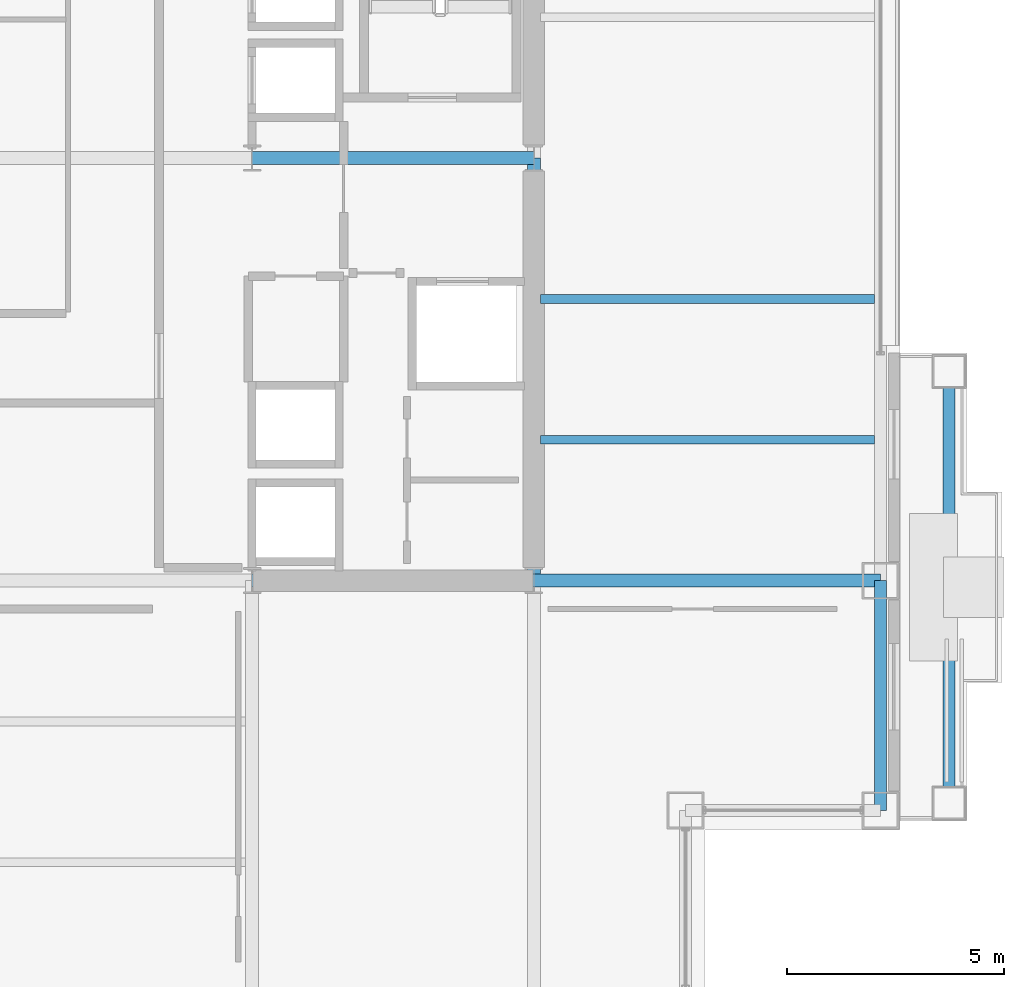
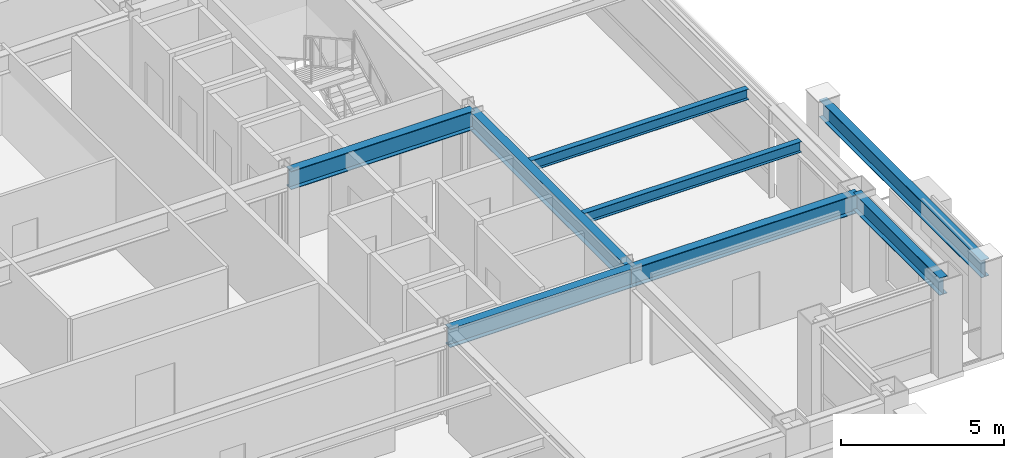
# One storey, part 13 of 29: 8 beams.
"""IFC4 building model written with IfcOpenShell, lengths in metres."""

from ifc_helpers import new_model, si_unit, direction, frame, origin, origin_2d, place, context, subcontext, project, spatial, i_section, extrude, material, material_profile, profile_set, type_object, element, save


model = new_model("IFC4")

# Units and contexts
model_context = context("Model", 3, precision=1e-05, world=origin(), true_north=direction((0.0, 1.0)))
body_context = subcontext(model_context, "Body", "Model", "MODEL_VIEW")
ifc_project = project(units=[si_unit("LENGTHUNIT", "METRE"), si_unit("AREAUNIT", "SQUARE_METRE"), si_unit("VOLUMEUNIT", "CUBIC_METRE"), si_unit("PLANEANGLEUNIT", "RADIAN"), si_unit("MASSUNIT", "GRAM", prefix="KILO")], contexts=[model_context])

# Site, building, storey
site_placement = place(None, origin())
site = spatial("IfcSite", under=ifc_project, at=site_placement, CompositionType="ELEMENT")
building_placement = place(site_placement, origin())
building = spatial("IfcBuilding", under=site, at=building_placement, Name="Brelmoor Portico Tower", CompositionType="ELEMENT")
storey_placement = place(building_placement, frame((0.0, 0.0, 95.39990234375)))
storey = spatial("IfcBuildingStorey", under=building, at=storey_placement, Name="L24", CompositionType="ELEMENT", Elevation=95.39990234375)

# Beams
ifc_material = material(Name="Steel Q355B", Category="steel")
ifc_material_profile_1 = material_profile(ifc_material, i_section(OverallWidth=0.199951171875, OverallDepth=0.39990234375, WebThickness=0.008056640625, FlangeThickness=0.012939453125, at=origin_2d()), Name="HN 400x200x8x13")
ifc_profile_set_1 = profile_set([ifc_material_profile_1], Name="Steel Q355B")
beam_type_1 = type_object("IfcBeamType", Name="BM-JS-400", PredefinedType="JOIST", material=ifc_profile_set_1)
for number, where, z_axis, x_axis, name in (
    (1, (14.699951171875, -6.5, 3.2001953125), (1.0, 0.0, 0.0), (0.0, 1.0, 0.0), "L24 Secondary Wing Joist JS-E09"),
    (2, (14.699951171875, -3.25, 3.2001953125), (1.0, 0.0, 0.0), (0.0, 1.0, 0.0), "L24 Secondary Wing Joist JS-E10"),
):
    element("IfcBeam", number, at=place(storey_placement, frame(where, z_axis=z_axis, x_axis=x_axis)), inside=storey, type_object=beam_type_1, Name=name, PredefinedType="JOIST", context=body_context, shape_type="SweptSolid", body=[
        extrude(i_section(OverallWidth=0.199951171875, OverallDepth=0.39990234375, WebThickness=0.008056640625, FlangeThickness=0.012939453125, at=origin_2d()), origin(), (0.0, 0.0, 1.0), 7.7099609375),
    ])
ifc_material_profile_2 = material_profile(ifc_material, i_section(OverallWidth=0.300048828125, OverallDepth=0.699951171875, WebThickness=0.012939453125, FlangeThickness=0.02392578125, at=origin_2d()), Name="HN 700x300x13x24")
ifc_profile_set_2 = profile_set([ifc_material_profile_2], Name="Steel Q355B")
beam_type_2 = type_object("IfcBeamType", Name="BM-PG-700", PredefinedType="BEAM", material=ifc_profile_set_2)
beam_1_placement = place(storey_placement, frame((14.550048828125, -9.75, 3.050048828125), z_axis=(0.0, 1.0, 0.0), x_axis=(-1.0, 0.0, 0.0)))
element("IfcBeam", 3, at=beam_1_placement, inside=storey, type_object=beam_type_2, Name="L24 Primary Floor Girder PG-11", PredefinedType="BEAM", context=body_context, shape_type="SweptSolid", body=[
    extrude(i_section(OverallWidth=0.300048828125, OverallDepth=0.699951171875, WebThickness=0.012939453125, FlangeThickness=0.02392578125, at=origin_2d()), origin(), (0.0, 0.0, 1.0), 9.75),
])
beam_2_placement = place(storey_placement, frame((8.050048828125, -9.75, 3.050048828125), z_axis=(1.0, 0.0, 0.0), x_axis=(0.0, 1.0, 0.0)))
element("IfcBeam", 4, at=beam_2_placement, inside=storey, type_object=beam_type_2, Name="L24 Primary Floor Girder PG-17", PredefinedType="BEAM", context=body_context, shape_type="SweptSolid", body=[
    extrude(i_section(OverallWidth=0.300048828125, OverallDepth=0.699951171875, WebThickness=0.012939453125, FlangeThickness=0.02392578125, at=origin_2d()), origin(), (0.0, 0.0, 1.0), 6.5),
])
beam_3_placement = place(storey_placement, frame((14.550048828125, -9.75, 3.050048828125), z_axis=(1.0, 0.0, 0.0), x_axis=(0.0, 1.0, 0.0)))
element("IfcBeam", 5, at=beam_3_placement, inside=storey, type_object=beam_type_2, Name="L24 Primary Floor Girder PG-18", PredefinedType="BEAM", context=body_context, shape_type="SweptSolid", body=[
    extrude(i_section(OverallWidth=0.300048828125, OverallDepth=0.699951171875, WebThickness=0.012939453125, FlangeThickness=0.02392578125, at=origin_2d()), origin(), (0.0, 0.0, 1.0), 8.0),
])
beam_4_placement = place(storey_placement, frame((8.050048828125, 0.0, 3.050048828125), z_axis=(1.0, 0.0, 0.0), x_axis=(0.0, 1.0, 0.0)))
element("IfcBeam", 6, at=beam_4_placement, inside=storey, type_object=beam_type_2, Name="L24 Primary Floor Girder PG-21", PredefinedType="BEAM", context=body_context, shape_type="SweptSolid", body=[
    extrude(i_section(OverallWidth=0.300048828125, OverallDepth=0.699951171875, WebThickness=0.012939453125, FlangeThickness=0.02392578125, at=origin_2d()), origin(), (0.0, 0.0, 1.0), 6.5),
])
ifc_material_profile_3 = material_profile(ifc_material, i_section(OverallWidth=0.280029296875, OverallDepth=0.64990234375, WebThickness=0.012939453125, FlangeThickness=0.02197265625, at=origin_2d()), Name="HN 650x280x13x22")
ifc_profile_set_3 = profile_set([ifc_material_profile_3], Name="Steel Q355B")
beam_type_3 = type_object("IfcBeamType", Name="BM-SP-650", PredefinedType="SPANDREL", material=ifc_profile_set_3)
beam_5_placement = place(storey_placement, frame((22.550048828125, -15.050048828125, 3.0751953125), z_axis=(0.0, 1.0, 0.0), x_axis=(-1.0, 0.0, 0.0)))
element("IfcBeam", 7, at=beam_5_placement, inside=storey, type_object=beam_type_3, Name="L24 Perimeter Spandrel Beam SP-22", PredefinedType="SPANDREL", context=body_context, shape_type="SweptSolid", body=[
    extrude(i_section(OverallWidth=0.280029296875, OverallDepth=0.64990234375, WebThickness=0.012939453125, FlangeThickness=0.02197265625, at=origin_2d()), origin(), (0.0, 0.0, 1.0), 5.300048828125),
])
beam_6_placement = place(storey_placement, frame((24.1298828125, -14.8798828125, 3.0751953125), z_axis=(0.0, 1.0, 0.0), x_axis=(-1.0, 0.0, 0.0)))
element("IfcBeam", 8, at=beam_6_placement, inside=storey, type_object=beam_type_3, Name="L24 Picture-Frame Perimeter Lintel Beam E1", PredefinedType="SPANDREL", context=body_context, shape_type="SweptSolid", body=[
    extrude(i_section(OverallWidth=0.280029296875, OverallDepth=0.64990234375, WebThickness=0.012939453125, FlangeThickness=0.02197265625, at=origin_2d()), origin(), (0.0, 0.0, 1.0), 9.9599609375),
])

save(model, "model.ifc")
